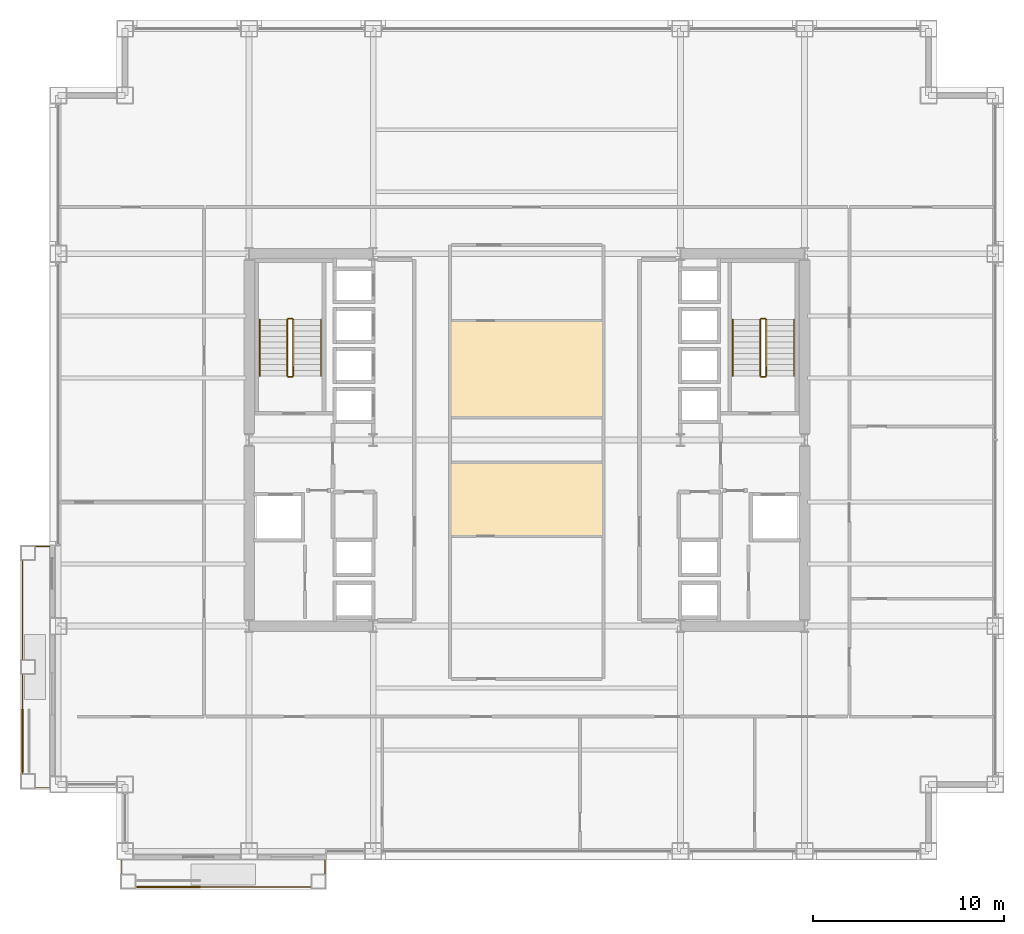
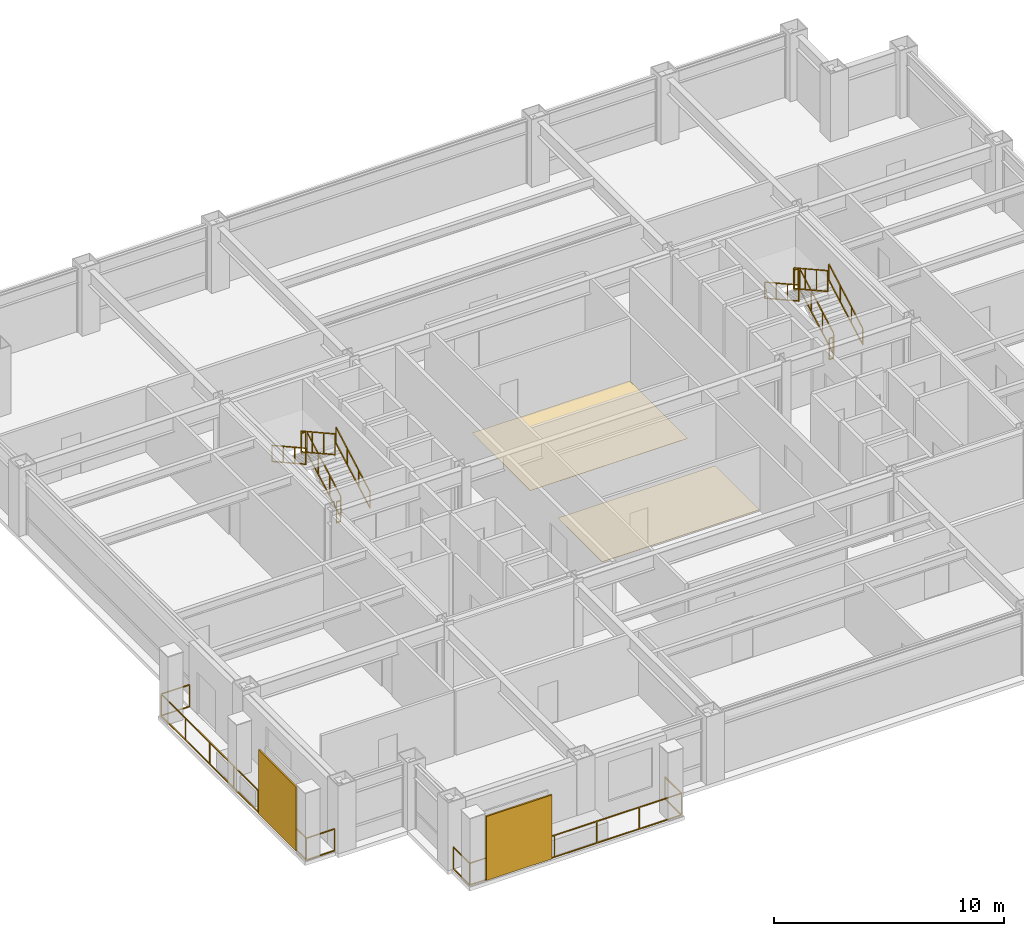
# One storey, part 28 of 29: 14 railings, 2 coverings, 2 shading devices.
"""IFC4 building model written with IfcOpenShell, lengths in metres."""

import ifcopenshell
import ifcopenshell.guid

model = None  # the IFC model being written
_history = None  # IfcOwnerHistory: only IFC2X3 demands one
_inside = {}  # id of a spatial element -> (the spatial element, [elements in it])
_under = {}  # id of a project, library or spatial element -> (it, [spatial elements below it])
_declared = {}  # id of a project -> (the project, [libraries it declares])
_typed = {}  # id of a type object -> (the type object, [elements of that type])
_made_of = {}  # id of a material, layer set ... -> (it, [elements and type objects made of it])


def new_model(schema):
    """Start an empty IFC model of exactly this schema.

    Asked for "IFC4X3", IfcOpenShell would pick the latest addendum, in which some entities
    have other attributes; the version numbers below select the first issue.
    IFC2X3 requires an IfcOwnerHistory on every rooted entity: one is made here for all.
    """
    global model, _history
    if schema == "IFC4X3":
        model = ifcopenshell.file(schema_version=(4, 3, 0, 0))
    else:
        model = ifcopenshell.file(schema=schema)
    _inside.clear()
    _under.clear()
    _declared.clear()
    _typed.clear()
    _made_of.clear()
    _history = None
    if model.schema == "IFC2X3":
        org = make("IfcOrganization", Name="unknown")
        user = make(
            "IfcPersonAndOrganization",
            ThePerson=make("IfcPerson", FamilyName="unknown"),
            TheOrganization=org,
        )
        app = make(
            "IfcApplication",
            ApplicationDeveloper=org,
            Version="unknown",
            ApplicationFullName="unknown",
            ApplicationIdentifier="unknown",
        )
        _history = make(
            "IfcOwnerHistory",
            OwningUser=user,
            OwningApplication=app,
            ChangeAction="ADDED",
            CreationDate=0,
        )
    return model


def make(cls, **values):
    """One entity of the class cls with the attributes given. An attribute that is None is left unset."""
    return model.create_entity(
        cls, **{name: value for name, value in values.items() if value is not None}
    )


def rooted(cls, **values):
    """An entity with a GlobalId (a new one), such as an element, a storey or a relation."""
    return make(cls, GlobalId=ifcopenshell.guid.new(), OwnerHistory=_history, **values)


def si_unit(unit_type, name, prefix=None):
    """IfcSIUnit, for example si_unit("LENGTHUNIT", "METRE", prefix="MILLI")."""
    return make("IfcSIUnit", UnitType=unit_type, Prefix=prefix, Name=name)


def assignment(units):
    """IfcUnitAssignment: the units of a project."""
    return None if units is None else make("IfcUnitAssignment", Units=units)


def point(xyz):
    """IfcCartesianPoint."""
    return None if xyz is None else make("IfcCartesianPoint", Coordinates=xyz)


def direction(xyz):
    """IfcDirection."""
    return None if xyz is None else make("IfcDirection", DirectionRatios=xyz)


def frame(location, z_axis=None, x_axis=None):
    """IfcAxis2Placement3D, a coordinate frame: its origin and axes. An axis left out is left unset."""
    return make(
        "IfcAxis2Placement3D",
        Location=point(location),
        Axis=direction(z_axis),
        RefDirection=direction(x_axis),
    )


def frame_2d(location, x_axis=None):
    """IfcAxis2Placement2D, a coordinate frame in the plane: its origin and x axis."""
    return make(
        "IfcAxis2Placement2D", Location=point(location), RefDirection=direction(x_axis)
    )


def origin():
    """The frame at (0, 0, 0) with its axes left unset."""
    return frame((0.0, 0.0, 0.0))


def origin_2d():
    """The frame at (0, 0) in the plane with its x axis left unset."""
    return frame_2d((0.0, 0.0))


def place(relative_to, where):
    """IfcLocalPlacement: puts the frame where relative to a parent placement (None: the world)."""
    return make(
        "IfcLocalPlacement", PlacementRelTo=relative_to, RelativePlacement=where
    )


def context(
    kind, dimensions, precision=None, world=None, true_north=None, identifier=None
):
    """IfcGeometricRepresentationContext, for example the 3D "Model" context."""
    return make(
        "IfcGeometricRepresentationContext",
        ContextIdentifier=identifier,
        ContextType=kind,
        CoordinateSpaceDimension=dimensions,
        Precision=precision,
        WorldCoordinateSystem=world,
        TrueNorth=true_north,
    )


def subcontext(parent, identifier, kind, view, scale=None):
    """IfcGeometricRepresentationSubContext, for example "Body" below "Model"."""
    return make(
        "IfcGeometricRepresentationSubContext",
        ContextIdentifier=identifier,
        ContextType=kind,
        ParentContext=parent,
        TargetScale=scale,
        TargetView=view,
    )


def project(units=None, contexts=None):
    """IfcProject with its units and contexts."""
    return rooted(
        "IfcProject",
        Name="project",
        RepresentationContexts=contexts,
        UnitsInContext=assignment(units),
    )


def spatial(cls, under=None, at=None, **own):
    """A site, building, storey or space (cls), placed at a placement, below another one or the project."""
    s = rooted(cls, ObjectPlacement=at, **own)
    if under is not None:
        _under.setdefault(under.id(), (under, []))[1].append(s)
    return s


def polyline(points):
    """IfcPolyline through the points."""
    return make("IfcPolyline", Points=[point(p) for p in points])


def profile(cls, at=None, kind="AREA", **sizes):
    """A parametric profile (cls). Its sizes go by their IFC names, for example OverallWidth=200.0."""
    return make(cls, ProfileType=kind, Position=at, **sizes)


def rectangle(**sizes):
    """IfcRectangleProfileDef."""
    return profile("IfcRectangleProfileDef", **sizes)


def outline(outer, holes=None, kind="AREA"):
    """IfcArbitraryClosedProfileDef: a profile drawn as a closed curve; with holes, ...WithVoids."""
    if holes is None:
        return make("IfcArbitraryClosedProfileDef", ProfileType=kind, OuterCurve=outer)
    return make(
        "IfcArbitraryProfileDefWithVoids",
        ProfileType=kind,
        OuterCurve=outer,
        InnerCurves=holes,
    )


def extrude(swept, where, along, depth):
    """IfcExtrudedAreaSolid: the profile swept, set in the frame where, extruded along a direction by depth."""
    return make(
        "IfcExtrudedAreaSolid",
        SweptArea=swept,
        Position=where,
        ExtrudedDirection=direction(along),
        Depth=depth,
    )


def shape(context_of_items, identifier, shape_type, items):
    """IfcShapeRepresentation: the items that make up one representation, for example the "Body"."""
    return make(
        "IfcShapeRepresentation",
        ContextOfItems=context_of_items,
        RepresentationIdentifier=identifier,
        RepresentationType=shape_type,
        Items=items,
    )


def material(Name=None, Category=None):
    """IfcMaterial."""
    return make("IfcMaterial", Name=Name, Category=Category)


def layer(
    of_material, thickness, ventilated=None, Name=None, Category=None, Priority=None
):
    """IfcMaterialLayer: one layer of a wall or slab, of a material (None: an air gap)."""
    return make(
        "IfcMaterialLayer",
        Material=of_material,
        LayerThickness=thickness,
        IsVentilated=ventilated,
        Name=Name,
        Category=Category,
        Priority=Priority,
    )


def layer_set(layers, Name=None):
    """IfcMaterialLayerSet."""
    return make("IfcMaterialLayerSet", MaterialLayers=layers, LayerSetName=Name)


def made_of(thing, what):
    """Note that an element or type object is made of a material, layer set ...; save() writes the relation."""
    if what is not None:
        _made_of.setdefault(what.id(), (what, []))[1].append(thing)
    return thing


def type_object(cls, material=None, **own):
    """A type object (cls), such as IfcWallType, which elements share."""
    return made_of(rooted(cls, **own), material)


def element(
    cls,
    number,
    at=None,
    inside=None,
    cuts=None,
    type_object=None,
    material=None,
    context=None,
    identifier="Body",
    shape_type=None,
    held_by="IfcProductDefinitionShape",
    body=None,
    shapes=None,
    **own,
):
    """One element of the class cls, such as IfcWall. Its Tag is "e" and its number.

    at: its placement. inside: the storey or other place that contains it. cuts: it is an
    opening in that element (IfcRelVoidsElement). A single representation is given by context,
    identifier, shape_type and body (its items); several are given by shapes. held_by: the class
    of the entity that holds the representations. save() writes the other relations.
    """
    e = rooted(cls, Tag="e%d" % number, ObjectPlacement=at, **own)
    if body is not None:
        shapes = [shape(context, identifier, shape_type, body)]
    if shapes is not None:
        e.Representation = make(held_by, Representations=shapes)
    if inside is not None:
        _inside.setdefault(inside.id(), (inside, []))[1].append(e)
    if cuts is not None:
        rooted(
            "IfcRelVoidsElement", RelatingBuildingElement=cuts, RelatedOpeningElement=e
        )
    if type_object is not None:
        _typed.setdefault(type_object.id(), (type_object, []))[1].append(e)
    return made_of(e, material)


def aggregate(whole, parts):
    """IfcRelAggregates: a whole, such as a stair, and the parts it consists of."""
    return rooted("IfcRelAggregates", RelatingObject=whole, RelatedObjects=parts)


def save(model, path):
    """Write the relations noted so far, then the file.

    IfcRelAggregates (storeys below a building ...), IfcRelContainedInSpatialStructure (elements
    in a storey), IfcRelDefinesByType, IfcRelAssociatesMaterial and IfcRelDeclares: one each for
    every whole, place, type object, material and project.
    """
    for whole, parts in _under.values():
        aggregate(whole, parts)
    for where, things in _inside.values():
        rooted(
            "IfcRelContainedInSpatialStructure",
            RelatedElements=things,
            RelatingStructure=where,
        )
    for kind, things in _typed.values():
        rooted("IfcRelDefinesByType", RelatedObjects=things, RelatingType=kind)
    for what, things in _made_of.values():
        rooted("IfcRelAssociatesMaterial", RelatedObjects=things, RelatingMaterial=what)
    for by, libraries in _declared.values():
        rooted("IfcRelDeclares", RelatingContext=by, RelatedDefinitions=libraries)
    model.write(path)


model = new_model("IFC4")

# Units and contexts
model_context = context("Model", 3, precision=1e-05, world=origin(), true_north=direction((0.0, 1.0)))
body_context = subcontext(model_context, "Body", "Model", "MODEL_VIEW")
ifc_project = project(units=[si_unit("LENGTHUNIT", "METRE"), si_unit("AREAUNIT", "SQUARE_METRE"), si_unit("VOLUMEUNIT", "CUBIC_METRE"), si_unit("PLANEANGLEUNIT", "RADIAN"), si_unit("MASSUNIT", "GRAM", prefix="KILO")], contexts=[model_context])

# Site, building, storey
site_placement = place(None, origin())
site = spatial("IfcSite", under=ifc_project, at=site_placement, CompositionType="ELEMENT")
building_placement = place(site_placement, origin())
building = spatial("IfcBuilding", under=site, at=building_placement, Name="Brelmoor Portico Tower", CompositionType="ELEMENT")
storey_placement = place(building_placement, frame((0.0, 0.0, 60.0)))
storey = spatial("IfcBuildingStorey", under=building, at=storey_placement, Name="L15", CompositionType="ELEMENT", Elevation=60.0)

# Coverings
ifc_material_1 = material(Name="Solution-Dyed Nylon Acoustic Carpet Tile", Category="textile")
ifc_layer_1 = layer(ifc_material_1, 0.013916015625)
ifc_layer_set_1 = layer_set([ifc_layer_1], Name="Solution-Dyed Nylon Acoustic Carpet Tile")
covering_type_1 = type_object("IfcCoveringType", Name="CV-FLR-CARPET-14", PredefinedType="FLOORING", material=ifc_layer_set_1)
covering_1_placement = place(storey_placement, origin())
element("IfcCovering", 1, at=covering_1_placement, inside=storey, type_object=covering_type_1, Name="L15 Architectural Floor Finish 01", PredefinedType="FLOORING", context=body_context, shape_type="SweptSolid", body=[
    extrude(outline(polyline([(-3.9599609375, 1.199951171875), (-3.9599609375, 6.260009765625), (3.9599609375, 6.260009765625), (3.9599609375, 1.199951171875), (-3.9599609375, 1.199951171875)])), origin(), (0.0, 0.0, 1.0), 0.013916015625),
])
ifc_material_2 = material(Name="Rectified Vitrified Porcelain Floor Tile", Category="ceramic")
ifc_layer_2 = layer(ifc_material_2, 0.01806640625)
ifc_layer_set_2 = layer_set([ifc_layer_2], Name="Rectified Vitrified Porcelain Floor Tile")
covering_type_2 = type_object("IfcCoveringType", Name="CV-FLR-PORCELAIN-18", PredefinedType="FLOORING", material=ifc_layer_set_2)
covering_2_placement = place(storey_placement, origin())
element("IfcCovering", 2, at=covering_2_placement, inside=storey, type_object=covering_type_2, Name="L15 Architectural Floor Finish 02", PredefinedType="FLOORING", context=body_context, shape_type="SweptSolid", body=[
    extrude(outline(polyline([(-3.9599609375, -5.06005859375), (-3.9599609375, -1.199951171875), (3.9599609375, -1.199951171875), (3.9599609375, -5.06005859375), (-3.9599609375, -5.06005859375)])), origin(), (0.0, 0.0, 1.0), 0.01806640625),
])

# Railings
ifc_material_3 = material(Name="Perforated Pale Champagne Aluminium Fretwork Guard", Category="aluminium")
railing_type_1 = type_object("IfcRailingType", Name="RL-BALUSTRADE-1200", PredefinedType="BALUSTRADE", material=ifc_material_3)
railing_1_placement = place(storey_placement, frame((-21.219970703125, -22.0, 0.0)))
element("IfcRailing", 3, at=railing_1_placement, inside=storey, type_object=railing_type_1, Name="L15 Tree Balcony Fretwork Balustrade S", PredefinedType="BALUSTRADE", context=body_context, shape_type="SweptSolid", body=[
    extrude(rectangle(XDim=0.048095703125, YDim=0.048095703125, at=origin_2d()), frame((0.0, 0.0, 1.17578125), z_axis=(0.0, -1.0, 0.0), x_axis=(1.0, 0.0, 0.0)), (0.0, 0.0, 1.0), 1.429931640625),
    extrude(rectangle(XDim=0.048095703125, YDim=0.048095703125, at=origin_2d()), frame((0.0, 0.0, 0.02392578125), z_axis=(0.0, -1.0, 0.0), x_axis=(1.0, 0.0, 0.0)), (0.0, 0.0, 1.0), 1.429931640625),
    extrude(rectangle(XDim=0.048095703125, YDim=0.048095703125, at=origin_2d()), frame((0.0, -1.429931640625, 1.17578125), z_axis=(1.0, 0.0, 0.0), x_axis=(0.0, 1.0, 0.0)), (0.0, 0.0, 1.0), 10.639892578125),
    extrude(rectangle(XDim=0.048095703125, YDim=0.048095703125, at=origin_2d()), frame((0.0, -1.429931640625, 0.02392578125), z_axis=(1.0, 0.0, 0.0), x_axis=(0.0, 1.0, 0.0)), (0.0, 0.0, 1.0), 10.639892578125),
    extrude(rectangle(XDim=0.048095703125, YDim=0.048095703125, at=origin_2d()), frame((10.639892578125, -1.429931640625, 1.17578125), z_axis=(0.0, 1.0, 0.0), x_axis=(-1.0, 0.0, 0.0)), (0.0, 0.0, 1.0), 1.429931640625),
    extrude(rectangle(XDim=0.048095703125, YDim=0.048095703125, at=origin_2d()), frame((10.639892578125, -1.429931640625, 0.02392578125), z_axis=(0.0, 1.0, 0.0), x_axis=(-1.0, 0.0, 0.0)), (0.0, 0.0, 1.0), 1.429931640625),
    extrude(rectangle(XDim=0.0419921875, YDim=0.0419921875, at=origin_2d()), origin(), (0.0, 0.0, 1.0), 1.15185546875),
    extrude(rectangle(XDim=0.0419921875, YDim=0.0419921875, at=origin_2d()), frame((0.0, -1.429931640625, 0.0)), (0.0, 0.0, 1.0), 1.15185546875),
    extrude(rectangle(XDim=0.0419921875, YDim=0.0419921875, at=origin_2d()), frame((2.1279296875, -1.429931640625, 0.0)), (0.0, 0.0, 1.0), 1.15185546875),
    extrude(rectangle(XDim=0.0419921875, YDim=0.0419921875, at=origin_2d()), frame((4.255859375, -1.429931640625, 0.0)), (0.0, 0.0, 1.0), 1.15185546875),
    extrude(rectangle(XDim=0.0419921875, YDim=0.0419921875, at=origin_2d()), frame((6.384033203125, -1.429931640625, 0.0)), (0.0, 0.0, 1.0), 1.15185546875),
    extrude(rectangle(XDim=0.0419921875, YDim=0.0419921875, at=origin_2d()), frame((8.511962890625, -1.429931640625, 0.0)), (0.0, 0.0, 1.0), 1.15185546875),
    extrude(rectangle(XDim=0.0419921875, YDim=0.0419921875, at=origin_2d()), frame((10.639892578125, -1.429931640625, 0.0)), (0.0, 0.0, 1.0), 1.15185546875),
    extrude(rectangle(XDim=0.0419921875, YDim=0.0419921875, at=origin_2d()), frame((10.639892578125, 0.0, 0.0)), (0.0, 0.0, 1.0), 1.15185546875),
])
railing_2_placement = place(storey_placement, frame((-25.0, -18.219970703125, 0.0)))
element("IfcRailing", 4, at=railing_2_placement, inside=storey, type_object=railing_type_1, Name="L15 Tree Balcony Fretwork Balustrade W", PredefinedType="BALUSTRADE", context=body_context, shape_type="SweptSolid", body=[
    extrude(rectangle(XDim=0.048095703125, YDim=0.048095703125, at=origin_2d()), frame((0.0, 0.0, 1.17578125), z_axis=(-1.0, 0.0, 0.0), x_axis=(0.0, -1.0, 0.0)), (0.0, 0.0, 1.0), 1.429931640625),
    extrude(rectangle(XDim=0.048095703125, YDim=0.048095703125, at=origin_2d()), frame((0.0, 0.0, 0.02392578125), z_axis=(-1.0, 0.0, 0.0), x_axis=(0.0, -1.0, 0.0)), (0.0, 0.0, 1.0), 1.429931640625),
    extrude(rectangle(XDim=0.048095703125, YDim=0.048095703125, at=origin_2d()), frame((-1.429931640625, 0.0, 1.17578125), z_axis=(0.0, 1.0, 0.0), x_axis=(-1.0, 0.0, 0.0)), (0.0, 0.0, 1.0), 12.639892578125),
    extrude(rectangle(XDim=0.048095703125, YDim=0.048095703125, at=origin_2d()), frame((-1.429931640625, 0.0, 0.02392578125), z_axis=(0.0, 1.0, 0.0), x_axis=(-1.0, 0.0, 0.0)), (0.0, 0.0, 1.0), 12.639892578125),
    extrude(rectangle(XDim=0.048095703125, YDim=0.048095703125, at=origin_2d()), frame((-1.429931640625, 12.639892578125, 1.17578125), z_axis=(1.0, 0.0, 0.0), x_axis=(0.0, 1.0, 0.0)), (0.0, 0.0, 1.0), 1.429931640625),
    extrude(rectangle(XDim=0.048095703125, YDim=0.048095703125, at=origin_2d()), frame((-1.429931640625, 12.639892578125, 0.02392578125), z_axis=(1.0, 0.0, 0.0), x_axis=(0.0, 1.0, 0.0)), (0.0, 0.0, 1.0), 1.429931640625),
    extrude(rectangle(XDim=0.0419921875, YDim=0.0419921875, at=origin_2d()), origin(), (0.0, 0.0, 1.0), 1.15185546875),
    extrude(rectangle(XDim=0.0419921875, YDim=0.0419921875, at=origin_2d()), frame((-1.429931640625, 0.0, 0.0)), (0.0, 0.0, 1.0), 1.15185546875),
    extrude(rectangle(XDim=0.0419921875, YDim=0.0419921875, at=origin_2d()), frame((-1.429931640625, 2.106689453125, 0.0)), (0.0, 0.0, 1.0), 1.15185546875),
    extrude(rectangle(XDim=0.0419921875, YDim=0.0419921875, at=origin_2d()), frame((-1.429931640625, 4.21337890625, 0.0)), (0.0, 0.0, 1.0), 1.15185546875),
    extrude(rectangle(XDim=0.0419921875, YDim=0.0419921875, at=origin_2d()), frame((-1.429931640625, 6.31982421875, 0.0)), (0.0, 0.0, 1.0), 1.15185546875),
    extrude(rectangle(XDim=0.0419921875, YDim=0.0419921875, at=origin_2d()), frame((-1.429931640625, 8.426513671875, 0.0)), (0.0, 0.0, 1.0), 1.15185546875),
    extrude(rectangle(XDim=0.0419921875, YDim=0.0419921875, at=origin_2d()), frame((-1.429931640625, 10.533203125, 0.0)), (0.0, 0.0, 1.0), 1.15185546875),
    extrude(rectangle(XDim=0.0419921875, YDim=0.0419921875, at=origin_2d()), frame((-1.429931640625, 12.639892578125, 0.0)), (0.0, 0.0, 1.0), 1.15185546875),
    extrude(rectangle(XDim=0.0419921875, YDim=0.0419921875, at=origin_2d()), frame((0.0, 12.639892578125, 0.0)), (0.0, 0.0, 1.0), 1.15185546875),
])
ifc_material_4 = material(Name="Painted Tubular Steel Q235B", Category="steel")
railing_type_2 = type_object("IfcRailingType", Name="RL-STAIR-GUARD", PredefinedType="GUARDRAIL", material=ifc_material_4)
railing_3_placement = place(storey_placement, frame((-12.239990234375, 3.35009765625, 0.16357421875)))
element("IfcRailing", 5, at=railing_3_placement, inside=storey, type_object=railing_type_2, Name="L15 ST-W stair guard 1", PredefinedType="GUARDRAIL", context=body_context, shape_type="SweptSolid", body=[
    extrude(rectangle(XDim=0.048095703125, YDim=0.048095703125, at=origin_2d()), frame((0.0, 0.0, 1.1259765625), z_axis=(0.0, 0.874457516365, 0.485102104791), x_axis=(-1.0, 0.0, 0.0)), (0.0, 0.0, 1.0), 3.37353515625),
    extrude(rectangle(XDim=0.048095703125, YDim=0.048095703125, at=origin_2d()), frame((0.0, 0.0, 0.02392578125), z_axis=(0.0, 0.874457516365, 0.485102104791), x_axis=(-1.0, 0.0, 0.0)), (0.0, 0.0, 1.0), 3.37353515625),
    extrude(rectangle(XDim=0.0419921875, YDim=0.0419921875, at=origin_2d()), origin(), (0.0, 0.0, 1.0), 1.101806640625),
    extrude(rectangle(XDim=0.0419921875, YDim=0.0419921875, at=origin_2d()), frame((0.0, 0.9833984375, 0.54541015625)), (0.0, 0.0, 1.0), 1.101806640625),
    extrude(rectangle(XDim=0.0419921875, YDim=0.0419921875, at=origin_2d()), frame((0.0, 1.966552734375, 1.091064453125)), (0.0, 0.0, 1.0), 1.101806640625),
    extrude(rectangle(XDim=0.0419921875, YDim=0.0419921875, at=origin_2d()), frame((0.0, 2.949951171875, 1.636474609375)), (0.0, 0.0, 1.0), 1.101806640625),
])
railing_4_placement = place(storey_placement, frame((-12.2900390625, 6.35009765625, 1.800048828125)))
element("IfcRailing", 6, at=railing_4_placement, inside=storey, type_object=railing_type_2, Name="L15 ST-W stair guard 2", PredefinedType="GUARDRAIL", context=body_context, shape_type="SweptSolid", body=[
    extrude(rectangle(XDim=0.048095703125, YDim=0.048095703125, at=origin_2d()), frame((0.0, 0.0, 1.1259765625), z_axis=(-1.0, 0.0, 0.0), x_axis=(0.0, -1.0, 0.0)), (0.0, 0.0, 1.0), 0.199951171875),
    extrude(rectangle(XDim=0.048095703125, YDim=0.048095703125, at=origin_2d()), frame((0.0, 0.0, 0.02392578125), z_axis=(-1.0, 0.0, 0.0), x_axis=(0.0, -1.0, 0.0)), (0.0, 0.0, 1.0), 0.199951171875),
    extrude(rectangle(XDim=0.0419921875, YDim=0.0419921875, at=origin_2d()), origin(), (0.0, 0.0, 1.0), 1.101806640625),
    extrude(rectangle(XDim=0.0419921875, YDim=0.0419921875, at=origin_2d()), frame((-0.199951171875, 0.0, 0.0)), (0.0, 0.0, 1.0), 1.101806640625),
])
railing_5_placement = place(storey_placement, frame((-12.5400390625, 6.300048828125, 1.963623046875)))
element("IfcRailing", 7, at=railing_5_placement, inside=storey, type_object=railing_type_2, Name="L15 ST-W stair guard 3", PredefinedType="GUARDRAIL", context=body_context, shape_type="SweptSolid", body=[
    extrude(rectangle(XDim=0.048095703125, YDim=0.048095703125, at=origin_2d()), frame((0.0, 0.0, 1.1259765625), z_axis=(0.0, -0.874457516365, 0.485102104791), x_axis=(1.0, 0.0, 0.0)), (0.0, 0.0, 1.0), 3.37353515625),
    extrude(rectangle(XDim=0.048095703125, YDim=0.048095703125, at=origin_2d()), frame((0.0, 0.0, 0.02392578125), z_axis=(0.0, -0.874457516365, 0.485102104791), x_axis=(1.0, 0.0, 0.0)), (0.0, 0.0, 1.0), 3.37353515625),
    extrude(rectangle(XDim=0.0419921875, YDim=0.0419921875, at=origin_2d()), origin(), (0.0, 0.0, 1.0), 1.101806640625),
    extrude(rectangle(XDim=0.0419921875, YDim=0.0419921875, at=origin_2d()), frame((0.0, -0.9833984375, 0.54541015625)), (0.0, 0.0, 1.0), 1.101806640625),
    extrude(rectangle(XDim=0.0419921875, YDim=0.0419921875, at=origin_2d()), frame((0.0, -1.966552734375, 1.091064453125)), (0.0, 0.0, 1.0), 1.101806640625),
    extrude(rectangle(XDim=0.0419921875, YDim=0.0419921875, at=origin_2d()), frame((0.0, -2.949951171875, 1.636474609375)), (0.0, 0.0, 1.0), 1.101806640625),
])
railing_6_placement = place(storey_placement, frame((-12.2900390625, 3.300048828125, 0.0)))
element("IfcRailing", 8, at=railing_6_placement, inside=storey, type_object=railing_type_2, Name="L15 ST-W stair guard 4", PredefinedType="GUARDRAIL", context=body_context, shape_type="SweptSolid", body=[
    extrude(rectangle(XDim=0.048095703125, YDim=0.048095703125, at=origin_2d()), frame((0.0, 0.0, 1.1259765625), z_axis=(-1.0, 0.0, 0.0), x_axis=(0.0, -1.0, 0.0)), (0.0, 0.0, 1.0), 0.199951171875),
    extrude(rectangle(XDim=0.048095703125, YDim=0.048095703125, at=origin_2d()), frame((0.0, 0.0, 0.02392578125), z_axis=(-1.0, 0.0, 0.0), x_axis=(0.0, -1.0, 0.0)), (0.0, 0.0, 1.0), 0.199951171875),
    extrude(rectangle(XDim=0.0419921875, YDim=0.0419921875, at=origin_2d()), origin(), (0.0, 0.0, 1.0), 1.101806640625),
    extrude(rectangle(XDim=0.0419921875, YDim=0.0419921875, at=origin_2d()), frame((-0.199951171875, 0.0, 0.0)), (0.0, 0.0, 1.0), 1.101806640625),
])
railing_7_placement = place(storey_placement, frame((12.5400390625, 3.35009765625, 0.16357421875)))
element("IfcRailing", 9, at=railing_7_placement, inside=storey, type_object=railing_type_2, Name="L15 ST-E stair guard 1", PredefinedType="GUARDRAIL", context=body_context, shape_type="SweptSolid", body=[
    extrude(rectangle(XDim=0.048095703125, YDim=0.048095703125, at=origin_2d()), frame((0.0, 0.0, 1.1259765625), z_axis=(0.0, 0.874457516365, 0.485102104791), x_axis=(-1.0, 0.0, 0.0)), (0.0, 0.0, 1.0), 3.37353515625),
    extrude(rectangle(XDim=0.048095703125, YDim=0.048095703125, at=origin_2d()), frame((0.0, 0.0, 0.02392578125), z_axis=(0.0, 0.874457516365, 0.485102104791), x_axis=(-1.0, 0.0, 0.0)), (0.0, 0.0, 1.0), 3.37353515625),
    extrude(rectangle(XDim=0.0419921875, YDim=0.0419921875, at=origin_2d()), origin(), (0.0, 0.0, 1.0), 1.101806640625),
    extrude(rectangle(XDim=0.0419921875, YDim=0.0419921875, at=origin_2d()), frame((0.0, 0.9833984375, 0.54541015625)), (0.0, 0.0, 1.0), 1.101806640625),
    extrude(rectangle(XDim=0.0419921875, YDim=0.0419921875, at=origin_2d()), frame((0.0, 1.966552734375, 1.091064453125)), (0.0, 0.0, 1.0), 1.101806640625),
    extrude(rectangle(XDim=0.0419921875, YDim=0.0419921875, at=origin_2d()), frame((0.0, 2.949951171875, 1.636474609375)), (0.0, 0.0, 1.0), 1.101806640625),
])
railing_8_placement = place(storey_placement, frame((12.489990234375, 6.35009765625, 1.800048828125)))
element("IfcRailing", 10, at=railing_8_placement, inside=storey, type_object=railing_type_2, Name="L15 ST-E stair guard 2", PredefinedType="GUARDRAIL", context=body_context, shape_type="SweptSolid", body=[
    extrude(rectangle(XDim=0.048095703125, YDim=0.048095703125, at=origin_2d()), frame((0.0, 0.0, 1.1259765625), z_axis=(-1.0, 0.0, 0.0), x_axis=(0.0, -1.0, 0.0)), (0.0, 0.0, 1.0), 0.199951171875),
    extrude(rectangle(XDim=0.048095703125, YDim=0.048095703125, at=origin_2d()), frame((0.0, 0.0, 0.02392578125), z_axis=(-1.0, 0.0, 0.0), x_axis=(0.0, -1.0, 0.0)), (0.0, 0.0, 1.0), 0.199951171875),
    extrude(rectangle(XDim=0.0419921875, YDim=0.0419921875, at=origin_2d()), origin(), (0.0, 0.0, 1.0), 1.101806640625),
    extrude(rectangle(XDim=0.0419921875, YDim=0.0419921875, at=origin_2d()), frame((-0.199951171875, 0.0, 0.0)), (0.0, 0.0, 1.0), 1.101806640625),
])
railing_9_placement = place(storey_placement, frame((12.239990234375, 6.300048828125, 1.963623046875)))
element("IfcRailing", 11, at=railing_9_placement, inside=storey, type_object=railing_type_2, Name="L15 ST-E stair guard 3", PredefinedType="GUARDRAIL", context=body_context, shape_type="SweptSolid", body=[
    extrude(rectangle(XDim=0.048095703125, YDim=0.048095703125, at=origin_2d()), frame((0.0, 0.0, 1.1259765625), z_axis=(0.0, -0.874457516365, 0.485102104791), x_axis=(1.0, 0.0, 0.0)), (0.0, 0.0, 1.0), 3.37353515625),
    extrude(rectangle(XDim=0.048095703125, YDim=0.048095703125, at=origin_2d()), frame((0.0, 0.0, 0.02392578125), z_axis=(0.0, -0.874457516365, 0.485102104791), x_axis=(1.0, 0.0, 0.0)), (0.0, 0.0, 1.0), 3.37353515625),
    extrude(rectangle(XDim=0.0419921875, YDim=0.0419921875, at=origin_2d()), origin(), (0.0, 0.0, 1.0), 1.101806640625),
    extrude(rectangle(XDim=0.0419921875, YDim=0.0419921875, at=origin_2d()), frame((0.0, -0.9833984375, 0.54541015625)), (0.0, 0.0, 1.0), 1.101806640625),
    extrude(rectangle(XDim=0.0419921875, YDim=0.0419921875, at=origin_2d()), frame((0.0, -1.966552734375, 1.091064453125)), (0.0, 0.0, 1.0), 1.101806640625),
    extrude(rectangle(XDim=0.0419921875, YDim=0.0419921875, at=origin_2d()), frame((0.0, -2.949951171875, 1.636474609375)), (0.0, 0.0, 1.0), 1.101806640625),
])
railing_10_placement = place(storey_placement, frame((12.489990234375, 3.300048828125, 0.0)))
element("IfcRailing", 12, at=railing_10_placement, inside=storey, type_object=railing_type_2, Name="L15 ST-E stair guard 4", PredefinedType="GUARDRAIL", context=body_context, shape_type="SweptSolid", body=[
    extrude(rectangle(XDim=0.048095703125, YDim=0.048095703125, at=origin_2d()), frame((0.0, 0.0, 1.1259765625), z_axis=(-1.0, 0.0, 0.0), x_axis=(0.0, -1.0, 0.0)), (0.0, 0.0, 1.0), 0.199951171875),
    extrude(rectangle(XDim=0.048095703125, YDim=0.048095703125, at=origin_2d()), frame((0.0, 0.0, 0.02392578125), z_axis=(-1.0, 0.0, 0.0), x_axis=(0.0, -1.0, 0.0)), (0.0, 0.0, 1.0), 0.199951171875),
    extrude(rectangle(XDim=0.0419921875, YDim=0.0419921875, at=origin_2d()), origin(), (0.0, 0.0, 1.0), 1.101806640625),
    extrude(rectangle(XDim=0.0419921875, YDim=0.0419921875, at=origin_2d()), frame((-0.199951171875, 0.0, 0.0)), (0.0, 0.0, 1.0), 1.101806640625),
])
ifc_material_5 = material(Name="Brushed Stainless Steel 304", Category="steel")
railing_type_3 = type_object("IfcRailingType", Name="RL-STAIR-HANDRAIL", PredefinedType="HANDRAIL", material=ifc_material_5)
railing_11_placement = place(storey_placement, frame((-10.780029296875, 3.35009765625, 0.16357421875)))
element("IfcRailing", 13, at=railing_11_placement, inside=storey, type_object=railing_type_3, Name="L15 ST-W stair handrail 1", PredefinedType="HANDRAIL", context=body_context, shape_type="SweptSolid", body=[
    extrude(rectangle(XDim=0.048095703125, YDim=0.048095703125, at=origin_2d()), frame((0.0, 0.0, 0.8759765625), z_axis=(0.0, 0.874457516365, 0.485102104791), x_axis=(-1.0, 0.0, 0.0)), (0.0, 0.0, 1.0), 3.37353515625),
    extrude(rectangle(XDim=0.048095703125, YDim=0.048095703125, at=origin_2d()), frame((0.0, 0.0, 0.02392578125), z_axis=(0.0, 0.874457516365, 0.485102104791), x_axis=(-1.0, 0.0, 0.0)), (0.0, 0.0, 1.0), 3.37353515625),
    extrude(rectangle(XDim=0.0419921875, YDim=0.0419921875, at=origin_2d()), origin(), (0.0, 0.0, 1.0), 0.851806640625),
    extrude(rectangle(XDim=0.0419921875, YDim=0.0419921875, at=origin_2d()), frame((0.0, 0.9833984375, 0.54541015625)), (0.0, 0.0, 1.0), 0.851806640625),
    extrude(rectangle(XDim=0.0419921875, YDim=0.0419921875, at=origin_2d()), frame((0.0, 1.966552734375, 1.091064453125)), (0.0, 0.0, 1.0), 0.851806640625),
    extrude(rectangle(XDim=0.0419921875, YDim=0.0419921875, at=origin_2d()), frame((0.0, 2.949951171875, 1.636474609375)), (0.0, 0.0, 1.0), 0.851806640625),
])
railing_12_placement = place(storey_placement, frame((-14.0, 6.300048828125, 1.963623046875)))
element("IfcRailing", 14, at=railing_12_placement, inside=storey, type_object=railing_type_3, Name="L15 ST-W stair handrail 2", PredefinedType="HANDRAIL", context=body_context, shape_type="SweptSolid", body=[
    extrude(rectangle(XDim=0.048095703125, YDim=0.048095703125, at=origin_2d()), frame((0.0, 0.0, 0.8759765625), z_axis=(0.0, -0.874457516365, 0.485102104791), x_axis=(1.0, 0.0, 0.0)), (0.0, 0.0, 1.0), 3.37353515625),
    extrude(rectangle(XDim=0.048095703125, YDim=0.048095703125, at=origin_2d()), frame((0.0, 0.0, 0.02392578125), z_axis=(0.0, -0.874457516365, 0.485102104791), x_axis=(1.0, 0.0, 0.0)), (0.0, 0.0, 1.0), 3.37353515625),
    extrude(rectangle(XDim=0.0419921875, YDim=0.0419921875, at=origin_2d()), origin(), (0.0, 0.0, 1.0), 0.851806640625),
    extrude(rectangle(XDim=0.0419921875, YDim=0.0419921875, at=origin_2d()), frame((0.0, -0.9833984375, 0.54541015625)), (0.0, 0.0, 1.0), 0.851806640625),
    extrude(rectangle(XDim=0.0419921875, YDim=0.0419921875, at=origin_2d()), frame((0.0, -1.966552734375, 1.091064453125)), (0.0, 0.0, 1.0), 0.851806640625),
    extrude(rectangle(XDim=0.0419921875, YDim=0.0419921875, at=origin_2d()), frame((0.0, -2.949951171875, 1.636474609375)), (0.0, 0.0, 1.0), 0.851806640625),
])
railing_13_placement = place(storey_placement, frame((14.0, 3.35009765625, 0.16357421875)))
element("IfcRailing", 15, at=railing_13_placement, inside=storey, type_object=railing_type_3, Name="L15 ST-E stair handrail 1", PredefinedType="HANDRAIL", context=body_context, shape_type="SweptSolid", body=[
    extrude(rectangle(XDim=0.048095703125, YDim=0.048095703125, at=origin_2d()), frame((0.0, 0.0, 0.8759765625), z_axis=(0.0, 0.874457516365, 0.485102104791), x_axis=(-1.0, 0.0, 0.0)), (0.0, 0.0, 1.0), 3.37353515625),
    extrude(rectangle(XDim=0.048095703125, YDim=0.048095703125, at=origin_2d()), frame((0.0, 0.0, 0.02392578125), z_axis=(0.0, 0.874457516365, 0.485102104791), x_axis=(-1.0, 0.0, 0.0)), (0.0, 0.0, 1.0), 3.37353515625),
    extrude(rectangle(XDim=0.0419921875, YDim=0.0419921875, at=origin_2d()), origin(), (0.0, 0.0, 1.0), 0.851806640625),
    extrude(rectangle(XDim=0.0419921875, YDim=0.0419921875, at=origin_2d()), frame((0.0, 0.9833984375, 0.54541015625)), (0.0, 0.0, 1.0), 0.851806640625),
    extrude(rectangle(XDim=0.0419921875, YDim=0.0419921875, at=origin_2d()), frame((0.0, 1.966552734375, 1.091064453125)), (0.0, 0.0, 1.0), 0.851806640625),
    extrude(rectangle(XDim=0.0419921875, YDim=0.0419921875, at=origin_2d()), frame((0.0, 2.949951171875, 1.636474609375)), (0.0, 0.0, 1.0), 0.851806640625),
])
railing_14_placement = place(storey_placement, frame((10.780029296875, 6.300048828125, 1.963623046875)))
element("IfcRailing", 16, at=railing_14_placement, inside=storey, type_object=railing_type_3, Name="L15 ST-E stair handrail 2", PredefinedType="HANDRAIL", context=body_context, shape_type="SweptSolid", body=[
    extrude(rectangle(XDim=0.048095703125, YDim=0.048095703125, at=origin_2d()), frame((0.0, 0.0, 0.8759765625), z_axis=(0.0, -0.874457516365, 0.485102104791), x_axis=(1.0, 0.0, 0.0)), (0.0, 0.0, 1.0), 3.37353515625),
    extrude(rectangle(XDim=0.048095703125, YDim=0.048095703125, at=origin_2d()), frame((0.0, 0.0, 0.02392578125), z_axis=(0.0, -0.874457516365, 0.485102104791), x_axis=(1.0, 0.0, 0.0)), (0.0, 0.0, 1.0), 3.37353515625),
    extrude(rectangle(XDim=0.0419921875, YDim=0.0419921875, at=origin_2d()), origin(), (0.0, 0.0, 1.0), 0.851806640625),
    extrude(rectangle(XDim=0.0419921875, YDim=0.0419921875, at=origin_2d()), frame((0.0, -0.9833984375, 0.54541015625)), (0.0, 0.0, 1.0), 0.851806640625),
    extrude(rectangle(XDim=0.0419921875, YDim=0.0419921875, at=origin_2d()), frame((0.0, -1.966552734375, 1.091064453125)), (0.0, 0.0, 1.0), 0.851806640625),
    extrude(rectangle(XDim=0.0419921875, YDim=0.0419921875, at=origin_2d()), frame((0.0, -2.949951171875, 1.636474609375)), (0.0, 0.0, 1.0), 0.851806640625),
])

# Shading devices
ifc_material_6 = material(Name="Powder-Coated Aluminium Shuttered Jalousie", Category="aluminium")
ifc_layer_3 = layer(ifc_material_6, 0.080078125)
ifc_layer_set_3 = layer_set([ifc_layer_3], Name="Powder-Coated Aluminium Shuttered Jalousie")
shading_device_type = type_object("IfcShadingDeviceType", Name="SD-JALOUSIE-LOGGIA", PredefinedType="JALOUSIE", material=ifc_layer_set_3)
for number, where, z_axis, x_axis, name in (
    (17, (-18.75, -23.429931640625, 0.0), (0.0, 0.0, 1.0), (1.0, 0.0, 0.0), "L15 Loggia Shuttered Jalousie S"),
    (18, (-26.429931640625, -15.75, 0.0), (0.0, 0.0, 1.0), (0.0, 1.0, 0.0), "L15 Loggia Shuttered Jalousie W"),
):
    element("IfcShadingDevice", number, at=place(storey_placement, frame(where, z_axis=z_axis, x_axis=x_axis)), inside=storey, type_object=shading_device_type, Name=name, PredefinedType="JALOUSIE", context=body_context, shape_type="SweptSolid", body=[
        extrude(rectangle(XDim=3.300048828125, YDim=0.080078125, at=origin_2d()), origin(), (0.0, 0.0, 1.0), 3.39990234375),
    ])

save(model, "model.ifc")
